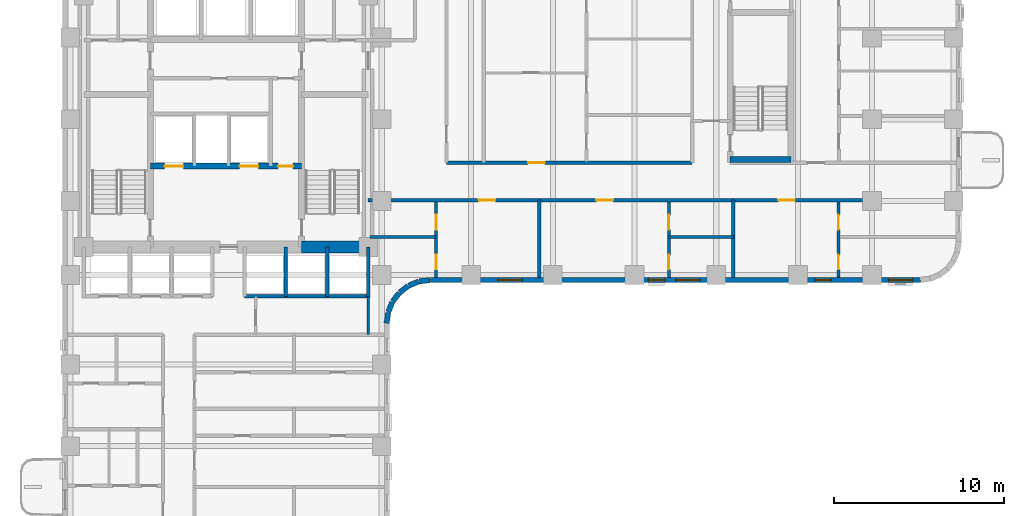
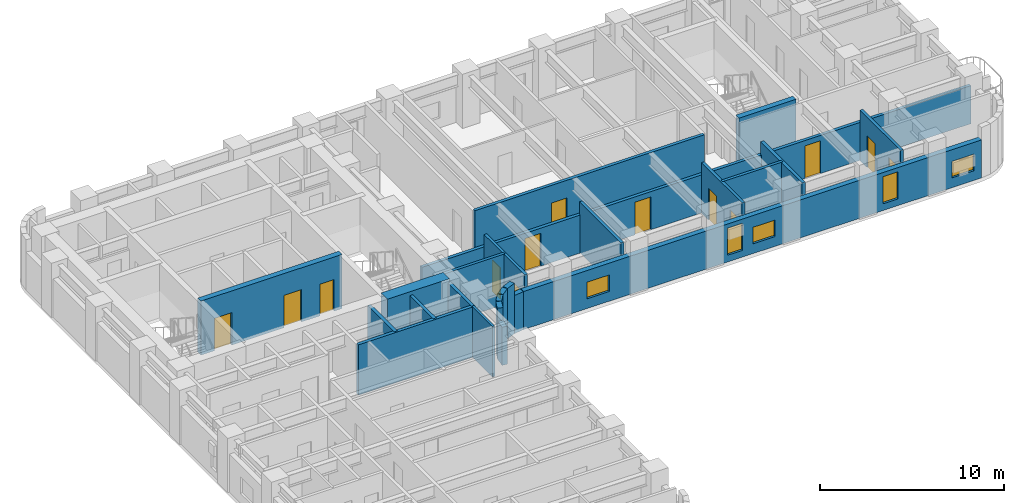
# One storey, part 5 of 12: 24 walls, 13 doors, 5 windows, 18 openings.
"""IFC4 building model written with IfcOpenShell, lengths in metres."""

from ifc_helpers import new_model, si_unit, direction, frame, frame_2d, origin, place, context, subcontext, project, spatial, rectangle, extrude, material, layer, layer_set, type_object, element, fill, save


model = new_model("IFC4")

# Units and contexts
model_context = context("Model", 3, precision=1e-05, world=origin(), true_north=direction((0.0, 1.0)))
body_context = subcontext(model_context, "Body", "Model", "MODEL_VIEW")
ifc_project = project(units=[si_unit("LENGTHUNIT", "METRE"), si_unit("AREAUNIT", "SQUARE_METRE"), si_unit("VOLUMEUNIT", "CUBIC_METRE"), si_unit("PLANEANGLEUNIT", "RADIAN"), si_unit("MASSUNIT", "GRAM", prefix="KILO")], contexts=[model_context])

# Site, building, storey
site_placement = place(None, origin())
site = spatial("IfcSite", under=ifc_project, at=site_placement, CompositionType="ELEMENT")
building_placement = place(site_placement, origin())
building = spatial("IfcBuilding", under=site, at=building_placement, Name="Orvandelia Arch Residences", CompositionType="ELEMENT")
storey_placement = place(building_placement, frame((0.0, 0.0, 43.0)))
storey = spatial("IfcBuildingStorey", under=building, at=storey_placement, Name="L10", CompositionType="ELEMENT", Elevation=43.0)

# Wall, openings, doors
ifc_material_1 = material(Name="Concrete C50/60", Category="concrete")
ifc_layer_1 = layer(ifc_material_1, 0.35009765625, Name="Concrete C50/60", Category="concrete")
ifc_layer_set_1 = layer_set([ifc_layer_1], Name="Concrete C50/60")
wall_type_1 = type_object("IfcWallType", Name="WL-CORE-350", PredefinedType="SHEAR", material=ifc_layer_set_1)
wall_1_placement = place(storey_placement, frame((9.9599609375, 35.64990234375, 0.0), z_axis=(0.0, 0.0, 1.0), x_axis=(1.0, 0.0, 0.0)))
wall_1 = element("IfcWall", 1, at=wall_1_placement, inside=storey, type_object=wall_type_1, Name="Core Shear Wall L10-HZ3", PredefinedType="SHEAR", context=body_context, shape_type="SweptSolid", body=[
    extrude(rectangle(XDim=8.880126953125, YDim=0.35009765625, at=frame_2d((4.43994140625, 0.0))), origin(), (0.0, 0.0, 1.0), 3.60009765625),
])
opening_1_placement = place(wall_1_placement, frame((0.840087890625, 0.0, 0.0)))
opening_1 = element("IfcOpeningElement", 2, at=opening_1_placement, cuts=wall_1, Name="Opening FLD", PredefinedType="OPENING", context=body_context, shape_type="SweptSolid", body=[
    extrude(rectangle(XDim=1.10009765625, YDim=2.14990234375, at=frame_2d((0.550048828125, 1.074951171875))), frame((0.0, 0.18505859375, 0.0), z_axis=(0.0, -1.0, 0.0), x_axis=(1.0, 0.0, 0.0)), (0.0, 0.0, 1.0), 0.3701171875),
])
opening_2_placement = place(wall_1_placement, frame((5.239990234375, 0.0, 0.0)))
opening_2 = element("IfcOpeningElement", 3, at=opening_2_placement, cuts=wall_1, Name="Opening FLD", PredefinedType="OPENING", context=body_context, shape_type="SweptSolid", body=[
    extrude(rectangle(XDim=1.10009765625, YDim=2.14990234375, at=frame_2d((0.550048828125, 1.074951171875))), frame((0.0, 0.18505859375, 0.0), z_axis=(0.0, -1.0, 0.0), x_axis=(1.0, 0.0, 0.0)), (0.0, 0.0, 1.0), 0.3701171875),
])
opening_3_placement = place(wall_1_placement, frame((7.5, 0.0, 0.0)))
opening_3 = element("IfcOpeningElement", 4, at=opening_3_placement, cuts=wall_1, Name="Opening D5", PredefinedType="OPENING", context=body_context, shape_type="SweptSolid", body=[
    extrude(rectangle(XDim=0.8798828125, YDim=2.10009765625, at=frame_2d((0.43994140625, 1.050048828125))), frame((0.0, 0.18505859375, 0.0), z_axis=(0.0, -1.0, 0.0), x_axis=(1.0, 0.0, 0.0)), (0.0, 0.0, 1.0), 0.3701171875),
])
ifc_material_2 = material(Name="Firefighting Lift Stainless Sliding Door")
door_type_1 = type_object("IfcDoorType", Name="DR-FLFT-1100", OperationType="NOTDEFINED", PredefinedType="DOOR", material=ifc_material_2)
door_1_placement = place(opening_1_placement, origin())
door_1 = element("IfcDoor", 5, at=door_1_placement, inside=storey, type_object=door_type_1, Name="Firefighting Lift Landing Door FLD-FL1-L10", OperationType="SLIDING_TO_LEFT", OverallHeight=2.14990234375, OverallWidth=1.10009765625, PredefinedType="DOOR", context=body_context, shape_type="SweptSolid", body=[
    extrude(rectangle(XDim=1.10009765625, YDim=2.14990234375, at=frame_2d((0.550048828125, 1.074951171875))), frame((0.0, 0.02490234375, 0.0), z_axis=(0.0, -1.0, 0.0), x_axis=(1.0, 0.0, 0.0)), (0.0, 0.0, 1.0), 0.050048828125),
])
fill(opening_1, door_1)
door_2_placement = place(opening_2_placement, origin())
door_2 = element("IfcDoor", 6, at=door_2_placement, inside=storey, type_object=door_type_1, Name="Firefighting Lift Landing Door FLD-FL2-L10", OperationType="SLIDING_TO_RIGHT", OverallHeight=2.14990234375, OverallWidth=1.10009765625, PredefinedType="DOOR", context=body_context, shape_type="SweptSolid", body=[
    extrude(rectangle(XDim=1.10009765625, YDim=2.14990234375, at=frame_2d((0.550048828125, 1.074951171875))), frame((0.0, 0.02490234375, 0.0), z_axis=(0.0, -1.0, 0.0), x_axis=(1.0, 0.0, 0.0)), (0.0, 0.0, 1.0), 0.050048828125),
])
fill(opening_2, door_2)
ifc_material_3 = material(Name="Painted Galvanised Steel Service Door", Category="steel")
door_type_2 = type_object("IfcDoorType", Name="DR-SRV-880", OperationType="NOTDEFINED", PredefinedType="DOOR", material=ifc_material_3)
door_3_placement = place(opening_3_placement, origin())
door_3 = element("IfcDoor", 7, at=door_3_placement, inside=storey, type_object=door_type_2, Name="Core Stairway Passage South Fire Door L10", OperationType="SINGLE_SWING_LEFT", OverallHeight=2.10009765625, OverallWidth=0.8798828125, PredefinedType="DOOR", context=body_context, shape_type="SweptSolid", body=[
    extrude(rectangle(XDim=0.8798828125, YDim=2.10009765625, at=frame_2d((0.43994140625, 1.050048828125))), frame((0.0, 0.02490234375, 0.0), z_axis=(0.0, -1.0, 0.0), x_axis=(1.0, 0.0, 0.0)), (0.0, 0.0, 1.0), 0.050048828125),
])
fill(opening_3, door_3)

# Walls
wall_2_placement = place(storey_placement, frame((44.02001953125, 36.0400390625, 0.0), z_axis=(0.0, 0.0, 1.0), x_axis=(1.0, 0.0, 0.0)))
element("IfcWall", 8, at=wall_2_placement, inside=storey, type_object=wall_type_1, Name="East Stair Core Shear Wall L10-S", PredefinedType="SHEAR", context=body_context, shape_type="SweptSolid", body=[
    extrude(rectangle(XDim=3.580078125, YDim=0.35009765625, at=frame_2d((1.7900390625, 0.0))), origin(), (0.0, 0.0, 1.0), 3.60009765625),
])
ifc_material_4 = material(Name="Concrete C80/95", Category="concrete")
ifc_layer_2 = layer(ifc_material_4, 0.699951171875, Name="Concrete C80/95", Category="concrete")
ifc_layer_set_2 = layer_set([ifc_layer_2], Name="Concrete C80/95")
wall_type_2 = type_object("IfcWallType", Name="WL-CORE-700", PredefinedType="SHEAR", material=ifc_layer_set_2)
wall_3_placement = place(storey_placement, frame((18.840087890625, 30.89990234375, 0.0), z_axis=(0.0, 0.0, 1.0), x_axis=(1.0, 0.0, 0.0)))
element("IfcWall", 9, at=wall_3_placement, inside=storey, type_object=wall_type_2, Name="Core Shear Wall L10-SE", PredefinedType="SHEAR", context=body_context, shape_type="SweptSolid", body=[
    extrude(rectangle(XDim=3.909912109375, YDim=0.699951171875, at=frame_2d((1.955078125, 0.0))), origin(), (0.0, 0.0, 1.0), 3.60009765625),
])

# Wall, openings, doors
ifc_material_5 = material(Name="Fire-Rated Corridor Partition")
ifc_layer_3 = layer(ifc_material_5, 0.199951171875, Name="Fire-Rated Corridor Partition")
ifc_layer_set_3 = layer_set([ifc_layer_3], Name="Fire-Rated Corridor Partition")
wall_type_3 = type_object("IfcWallType", Name="WL-CORR-200", PredefinedType="PARTITIONING", material=ifc_layer_set_3)
wall_4_placement = place(storey_placement, frame((22.75, 33.64990234375, 0.0), z_axis=(0.0, 0.0, 1.0), x_axis=(1.0, 0.0, 0.0)))
wall_4 = element("IfcWall", 10, at=wall_4_placement, inside=storey, type_object=wall_type_3, Name="Interior Partition Wall WL-L10-ES-S", PredefinedType="PARTITIONING", context=body_context, shape_type="SweptSolid", body=[
    extrude(rectangle(XDim=34.530029296875, YDim=0.199951171875, at=frame_2d((17.26513671875, 0.0))), origin(), (0.0, 0.0, 1.0), 2.530029296875),
])
opening_4_placement = place(wall_4_placement, frame((6.490966796875, 0.0, 0.0)))
opening_4 = element("IfcOpeningElement", 11, at=opening_4_placement, cuts=wall_4, Name="Opening D1", PredefinedType="OPENING", context=body_context, shape_type="SweptSolid", body=[
    extrude(rectangle(XDim=0.97998046875, YDim=2.179931640625, at=frame_2d((0.489990234375, 1.08984375))), frame((0.0, 0.10986328125, 0.0), z_axis=(0.0, -1.0, 0.0), x_axis=(1.0, 0.0, 0.0)), (0.0, 0.0, 1.0), 0.219970703125),
])
opening_5_placement = place(wall_4_placement, frame((13.406005859375, 0.0, 0.0)))
opening_5 = element("IfcOpeningElement", 12, at=opening_5_placement, cuts=wall_4, Name="Opening D1", PredefinedType="OPENING", context=body_context, shape_type="SweptSolid", body=[
    extrude(rectangle(XDim=0.97998046875, YDim=2.179931640625, at=frame_2d((0.489990234375, 1.08984375))), frame((0.0, 0.10986328125, 0.0), z_axis=(0.0, -1.0, 0.0), x_axis=(1.0, 0.0, 0.0)), (0.0, 0.0, 1.0), 0.219970703125),
])
opening_6_placement = place(wall_4_placement, frame((24.090087890625, 0.0, 0.0)))
opening_6 = element("IfcOpeningElement", 13, at=opening_6_placement, cuts=wall_4, Name="Opening D1", PredefinedType="OPENING", context=body_context, shape_type="SweptSolid", body=[
    extrude(rectangle(XDim=0.97998046875, YDim=2.179931640625, at=frame_2d((0.489990234375, 1.08984375))), frame((0.0, 0.10986328125, 0.0), z_axis=(0.0, -1.0, 0.0), x_axis=(1.0, 0.0, 0.0)), (0.0, 0.0, 1.0), 0.219970703125),
])
ifc_material_6 = material(Name="Solid-Core Timber Acoustic Fire Door", Category="wood")
door_type_3 = type_object("IfcDoorType", Name="DR-ENT-980", OperationType="NOTDEFINED", PredefinedType="DOOR", material=ifc_material_6)
door_4_placement = place(opening_4_placement, origin())
door_4 = element("IfcDoor", 14, at=door_4_placement, inside=storey, type_object=door_type_3, Name="Unit L10-08 Entrance Door", OperationType="SINGLE_SWING_RIGHT", OverallHeight=2.179931640625, OverallWidth=0.97998046875, PredefinedType="DOOR", context=body_context, shape_type="SweptSolid", body=[
    extrude(rectangle(XDim=0.97998046875, YDim=2.179931640625, at=frame_2d((0.489990234375, 1.08984375))), frame((0.0, 0.02490234375, 0.0), z_axis=(0.0, -1.0, 0.0), x_axis=(1.0, 0.0, 0.0)), (0.0, 0.0, 1.0), 0.050048828125),
])
fill(opening_4, door_4)
door_5_placement = place(opening_5_placement, origin())
door_5 = element("IfcDoor", 15, at=door_5_placement, inside=storey, type_object=door_type_3, Name="Unit L10-09 Entrance Door", OperationType="SINGLE_SWING_LEFT", OverallHeight=2.179931640625, OverallWidth=0.97998046875, PredefinedType="DOOR", context=body_context, shape_type="SweptSolid", body=[
    extrude(rectangle(XDim=0.97998046875, YDim=2.179931640625, at=frame_2d((0.489990234375, 1.08984375))), frame((0.0, 0.02490234375, 0.0), z_axis=(0.0, -1.0, 0.0), x_axis=(1.0, 0.0, 0.0)), (0.0, 0.0, 1.0), 0.050048828125),
])
fill(opening_5, door_5)
door_6_placement = place(opening_6_placement, origin())
door_6 = element("IfcDoor", 16, at=door_6_placement, inside=storey, type_object=door_type_3, Name="Unit L10-10 Entrance Door", OperationType="SINGLE_SWING_RIGHT", OverallHeight=2.179931640625, OverallWidth=0.97998046875, PredefinedType="DOOR", context=body_context, shape_type="SweptSolid", body=[
    extrude(rectangle(XDim=0.97998046875, YDim=2.179931640625, at=frame_2d((0.489990234375, 1.08984375))), frame((0.0, 0.02490234375, 0.0), z_axis=(0.0, -1.0, 0.0), x_axis=(1.0, 0.0, 0.0)), (0.0, 0.0, 1.0), 0.050048828125),
])
fill(opening_6, door_6)

# Wall, opening, door
wall_5_placement = place(storey_placement, frame((27.35009765625, 35.85009765625, 0.0), z_axis=(0.0, 0.0, 1.0), x_axis=(1.0, 0.0, 0.0)))
wall_5 = element("IfcWall", 17, at=wall_5_placement, inside=storey, type_object=wall_type_3, Name="Interior Partition Wall WL-L10-ES-N1", PredefinedType="PARTITIONING", context=body_context, shape_type="SweptSolid", body=[
    extrude(rectangle(XDim=14.429931640625, YDim=0.199951171875, at=frame_2d((7.21484375, 0.0))), origin(), (0.0, 0.0, 1.0), 3.35009765625),
])
opening_7_placement = place(wall_5_placement, frame((4.803466796875, 0.0, 0.0)))
opening_7 = element("IfcOpeningElement", 18, at=opening_7_placement, cuts=wall_5, Name="Opening D1", PredefinedType="OPENING", context=body_context, shape_type="SweptSolid", body=[
    extrude(rectangle(XDim=0.97998046875, YDim=2.179931640625, at=frame_2d((0.489990234375, 1.08984375))), frame((0.0, 0.10986328125, 0.0), z_axis=(0.0, -1.0, 0.0), x_axis=(1.0, 0.0, 0.0)), (0.0, 0.0, 1.0), 0.219970703125),
])
door_7_placement = place(opening_7_placement, origin())
door_7 = element("IfcDoor", 19, at=door_7_placement, inside=storey, type_object=door_type_3, Name="Unit L10-11 Entrance Door", OperationType="SINGLE_SWING_LEFT", OverallHeight=2.179931640625, OverallWidth=0.97998046875, PredefinedType="DOOR", context=body_context, shape_type="SweptSolid", body=[
    extrude(rectangle(XDim=0.97998046875, YDim=2.179931640625, at=frame_2d((0.489990234375, 1.08984375))), frame((0.0, 0.02490234375, 0.0), z_axis=(0.0, -1.0, 0.0), x_axis=(1.0, 0.0, 0.0)), (0.0, 0.0, 1.0), 0.050048828125),
])
fill(opening_7, door_7)

# Walls
ifc_material_7 = material(Name="Concrete C40/50", Category="concrete")
ifc_layer_4 = layer(ifc_material_7, 0.199951171875, Name="Concrete C40/50", Category="concrete")
ifc_layer_set_4 = layer_set([ifc_layer_4], Name="Concrete C40/50")
wall_type_4 = type_object("IfcWallType", Name="WL-DEM-200", PredefinedType="SOLIDWALL", material=ifc_layer_set_4)
for number, where, z_axis, x_axis, name in (
    (20, (32.800048828125, 29.1201171875, 0.0), (0.0, 0.0, 1.0), (0.0, 1.0, 0.0), "Interior Partition Wall WL-L10-DEM-ESS-328"),
    (21, (44.199951171875, 29.1201171875, 0.0), (0.0, 0.0, 1.0), (0.0, 1.0, 0.0), "Interior Partition Wall WL-L10-DEM-ESS-442"),
):
    element("IfcWall", number, at=place(storey_placement, frame(where, z_axis=z_axis, x_axis=x_axis)), inside=storey, type_object=wall_type_4, Name=name, PredefinedType="SOLIDWALL", context=body_context, shape_type="SweptSolid", body=[
        extrude(rectangle(XDim=4.52978515625, YDim=0.199951171875, at=frame_2d((2.264892578125, 0.0))), origin(), (0.0, 0.0, 1.0), 3.35009765625),
    ])

# Wall, openings, windows
ifc_material_8 = material(Name="Precast concrete C40/50", Category="concrete")
ifc_layer_5 = layer(ifc_material_8, 0.320068359375, Name="Precast concrete C40/50", Category="concrete")
ifc_layer_set_5 = layer_set([ifc_layer_5], Name="Precast concrete C40/50")
wall_type_5 = type_object("IfcWallType", Name="WL-EXT-STONE-320", PredefinedType="STANDARD", material=ifc_layer_set_5)
wall_6_placement = place(storey_placement, frame((55.199951171875, 28.9599609375, 0.0), z_axis=(0.0, 0.0, 1.0), x_axis=(-1.0, 0.0, 0.0)))
wall_6 = element("IfcWall", 22, at=wall_6_placement, inside=storey, type_object=wall_type_5, Name="Coral-Limestone Precast Facade Wall L10-021", PredefinedType="STANDARD", context=body_context, shape_type="SweptSolid", body=[
    extrude(rectangle(XDim=28.800048828125, YDim=0.320068359375, at=frame_2d((14.39990234375, 0.0))), origin(), (0.0, 0.0, 1.0), 2.530029296875),
])
opening_8_placement = place(wall_6_placement, frame((23.4150390625, 0.0, 0.64990234375)))
opening_8 = element("IfcOpeningElement", 23, at=opening_8_placement, cuts=wall_6, Name="Opening W10", PredefinedType="OPENING", context=body_context, shape_type="SweptSolid", body=[
    extrude(rectangle(XDim=1.39990234375, YDim=1.10009765625, at=frame_2d((0.699951171875, 0.550048828125))), frame((0.0, 0.169921875, 0.0), z_axis=(0.0, -1.0, 0.0), x_axis=(1.0, 0.0, 0.0)), (0.0, 0.0, 1.0), 0.340087890625),
])
opening_9_placement = place(wall_6_placement, frame((15.033935546875, 0.0, 0.449951171875)))
opening_9 = element("IfcOpeningElement", 24, at=opening_9_placement, cuts=wall_6, Name="Opening W4", PredefinedType="OPENING", context=body_context, shape_type="SweptSolid", body=[
    extrude(rectangle(XDim=0.949951171875, YDim=1.800048828125, at=frame_2d((0.47509765625, 0.89990234375))), frame((0.0, 0.169921875, 0.0), z_axis=(0.0, -1.0, 0.0), x_axis=(1.0, 0.0, 0.0)), (0.0, 0.0, 1.0), 0.340087890625),
])
opening_10_placement = place(wall_6_placement, frame((5.25, 0.0, 0.449951171875)))
opening_10 = element("IfcOpeningElement", 25, at=opening_10_placement, cuts=wall_6, Name="Opening W4", PredefinedType="OPENING", context=body_context, shape_type="SweptSolid", body=[
    extrude(rectangle(XDim=0.949951171875, YDim=1.800048828125, at=frame_2d((0.47509765625, 0.89990234375))), frame((0.0, 0.169921875, 0.0), z_axis=(0.0, -1.0, 0.0), x_axis=(1.0, 0.0, 0.0)), (0.0, 0.0, 1.0), 0.340087890625),
])
opening_11_placement = place(wall_6_placement, frame((12.97900390625, 0.0, 0.64990234375)))
opening_11 = element("IfcOpeningElement", 26, at=opening_11_placement, cuts=wall_6, Name="Opening W10", PredefinedType="OPENING", context=body_context, shape_type="SweptSolid", body=[
    extrude(rectangle(XDim=1.39990234375, YDim=1.10009765625, at=frame_2d((0.699951171875, 0.550048828125))), frame((0.0, 0.169921875, 0.0), z_axis=(0.0, -1.0, 0.0), x_axis=(1.0, 0.0, 0.0)), (0.0, 0.0, 1.0), 0.340087890625),
])
opening_12_placement = place(wall_6_placement, frame((0.469970703125, 0.0, 0.64990234375)))
opening_12 = element("IfcOpeningElement", 27, at=opening_12_placement, cuts=wall_6, Name="Opening W10", PredefinedType="OPENING", context=body_context, shape_type="SweptSolid", body=[
    extrude(rectangle(XDim=1.39990234375, YDim=1.10009765625, at=frame_2d((0.699951171875, 0.550048828125))), frame((0.0, 0.169921875, 0.0), z_axis=(0.0, -1.0, 0.0), x_axis=(1.0, 0.0, 0.0)), (0.0, 0.0, 1.0), 0.340087890625),
])
ifc_material_9 = material(Name="Tempered Low-E Insulated Glazing", Category="glass")
window_type_1 = type_object("IfcWindowType", Name="WIN-CLR-1400x1100", PartitioningType="SINGLE_PANEL", PredefinedType="WINDOW", material=ifc_material_9)
window_1_placement = place(opening_8_placement, origin())
window_1 = element("IfcWindow", 28, at=window_1_placement, inside=storey, type_object=window_type_1, Name="Recessed Punched Window L10-014", OverallHeight=1.10009765625, OverallWidth=1.39990234375, PartitioningType="SINGLE_PANEL", PredefinedType="WINDOW", context=body_context, shape_type="SweptSolid", body=[
    extrude(rectangle(XDim=1.39990234375, YDim=1.10009765625, at=frame_2d((0.699951171875, 0.550048828125))), frame((0.0, 0.030029296875, 0.0), z_axis=(0.0, -1.0, 0.0), x_axis=(1.0, 0.0, 0.0)), (0.0, 0.0, 1.0), 0.06005859375),
])
fill(opening_8, window_1)
window_2_placement = place(opening_11_placement, origin())
window_2 = element("IfcWindow", 29, at=window_2_placement, inside=storey, type_object=window_type_1, Name="Recessed Punched Window L10-017", OverallHeight=1.10009765625, OverallWidth=1.39990234375, PartitioningType="SINGLE_PANEL", PredefinedType="WINDOW", context=body_context, shape_type="SweptSolid", body=[
    extrude(rectangle(XDim=1.39990234375, YDim=1.10009765625, at=frame_2d((0.699951171875, 0.550048828125))), frame((0.0, 0.030029296875, 0.0), z_axis=(0.0, -1.0, 0.0), x_axis=(1.0, 0.0, 0.0)), (0.0, 0.0, 1.0), 0.06005859375),
])
fill(opening_11, window_2)
window_3_placement = place(opening_12_placement, origin())
window_3 = element("IfcWindow", 30, at=window_3_placement, inside=storey, type_object=window_type_1, Name="Recessed Punched Window L10-018", OverallHeight=1.10009765625, OverallWidth=1.39990234375, PartitioningType="SINGLE_PANEL", PredefinedType="WINDOW", context=body_context, shape_type="SweptSolid", body=[
    extrude(rectangle(XDim=1.39990234375, YDim=1.10009765625, at=frame_2d((0.699951171875, 0.550048828125))), frame((0.0, 0.030029296875, 0.0), z_axis=(0.0, -1.0, 0.0), x_axis=(1.0, 0.0, 0.0)), (0.0, 0.0, 1.0), 0.06005859375),
])
fill(opening_12, window_3)
window_type_2 = type_object("IfcWindowType", Name="WIN-RES-0950x1800", PartitioningType="SINGLE_PANEL", PredefinedType="WINDOW", material=ifc_material_9)
window_4_placement = place(opening_9_placement, origin())
window_4 = element("IfcWindow", 31, at=window_4_placement, inside=storey, type_object=window_type_2, Name="Recessed Punched Window L10-015", OverallHeight=1.800048828125, OverallWidth=0.949951171875, PartitioningType="SINGLE_PANEL", PredefinedType="WINDOW", context=body_context, shape_type="SweptSolid", body=[
    extrude(rectangle(XDim=0.949951171875, YDim=1.800048828125, at=frame_2d((0.47509765625, 0.89990234375))), frame((0.0, 0.030029296875, 0.0), z_axis=(0.0, -1.0, 0.0), x_axis=(1.0, 0.0, 0.0)), (0.0, 0.0, 1.0), 0.06005859375),
])
fill(opening_9, window_4)
window_5_placement = place(opening_10_placement, origin())
window_5 = element("IfcWindow", 32, at=window_5_placement, inside=storey, type_object=window_type_2, Name="Recessed Punched Window L10-016", OverallHeight=1.800048828125, OverallWidth=0.949951171875, PartitioningType="SINGLE_PANEL", PredefinedType="WINDOW", context=body_context, shape_type="SweptSolid", body=[
    extrude(rectangle(XDim=0.949951171875, YDim=1.800048828125, at=frame_2d((0.47509765625, 0.89990234375))), frame((0.0, 0.030029296875, 0.0), z_axis=(0.0, -1.0, 0.0), x_axis=(1.0, 0.0, 0.0)), (0.0, 0.0, 1.0), 0.06005859375),
])
fill(opening_10, window_5)

# Walls
wall_7_placement = place(storey_placement, frame((26.379150390625, 28.95849609375, 0.0), z_axis=(0.0, 0.0, 1.0), x_axis=(-0.991447664465, -0.130504898859, 0.0)))
element("IfcWall", 33, at=wall_7_placement, inside=storey, type_object=wall_type_5, Name="Coral-Limestone Precast Facade Wall L10-022", PredefinedType="STANDARD", context=body_context, shape_type="SweptSolid", body=[
    extrude(rectangle(XDim=0.626708984375, YDim=0.320068359375, at=frame_2d((0.3134765625, 0.0))), origin(), (0.0, 0.0, 1.0), 2.530029296875),
])
wall_8_placement = place(storey_placement, frame((25.717529296875, 28.865966796875, 0.0), z_axis=(0.0, 0.0, 1.0), x_axis=(-0.923836271867, -0.382787856107, 0.0)))
element("IfcWall", 34, at=wall_8_placement, inside=storey, type_object=wall_type_5, Name="Coral-Limestone Precast Facade Wall L10-023", PredefinedType="STANDARD", context=body_context, shape_type="SweptSolid", body=[
    extrude(rectangle(XDim=0.626220703125, YDim=0.320068359375, at=frame_2d((0.31298828125, 0.0))), origin(), (0.0, 0.0, 1.0), 3.35009765625),
])
for number, where, z_axis, x_axis, name in (
    (35, (25.1025390625, 28.60546875, 0.0), (0.0, 0.0, 1.0), (-0.793405610854, -0.608693302629, 0.0), "Coral-Limestone Precast Facade Wall L10-024"),
    (36, (24.575927734375, 28.194580078125, 0.0), (0.0, 0.0, 1.0), (-0.608693302629, -0.793405610854, 0.0), "Coral-Limestone Precast Facade Wall L10-025"),
):
    element("IfcWall", number, at=place(storey_placement, frame(where, z_axis=z_axis, x_axis=x_axis)), inside=storey, type_object=wall_type_5, Name=name, PredefinedType="STANDARD", context=body_context, shape_type="SweptSolid", body=[
        extrude(rectangle(XDim=0.62646484375, YDim=0.320068359375, at=frame_2d((0.313232421875, 0.0))), origin(), (0.0, 0.0, 1.0), 3.35009765625),
    ])
wall_9_placement = place(storey_placement, frame((24.173583984375, 27.6611328125, 0.0), z_axis=(0.0, 0.0, 1.0), x_axis=(-0.382455093999, -0.923974080304, 0.0)))
element("IfcWall", 37, at=wall_9_placement, inside=storey, type_object=wall_type_5, Name="Coral-Limestone Precast Facade Wall L10-026", PredefinedType="STANDARD", context=body_context, shape_type="SweptSolid", body=[
    extrude(rectangle(XDim=0.626220703125, YDim=0.320068359375, at=frame_2d((0.31298828125, 0.0))), origin(), (0.0, 0.0, 1.0), 3.35009765625),
])
wall_10_placement = place(storey_placement, frame((23.923095703125, 27.0419921875, 0.0), z_axis=(0.0, 0.0, 1.0), x_axis=(-0.130555323746, -0.9914410257, 0.0)))
element("IfcWall", 38, at=wall_10_placement, inside=storey, type_object=wall_type_5, Name="Coral-Limestone Precast Facade Wall L10-027", PredefinedType="STANDARD", context=body_context, shape_type="SweptSolid", body=[
    extrude(rectangle(XDim=0.62646484375, YDim=0.320068359375, at=frame_2d((0.313232421875, 0.0))), origin(), (0.0, 0.0, 1.0), 2.530029296875),
])
ifc_material_10 = material(Name="Acoustic Gypsum Stud Partition")
ifc_layer_6 = layer(ifc_material_10, 0.14990234375, Name="Acoustic Gypsum Stud Partition")
ifc_layer_set_6 = layer_set([ifc_layer_6], Name="Acoustic Gypsum Stud Partition")
wall_type_6 = type_object("IfcWallType", Name="WL-PART-150", PredefinedType="PARTITIONING", material=ifc_layer_set_6)
wall_11_placement = place(storey_placement, frame((22.75, 25.75, 0.0), z_axis=(0.0, 0.0, 1.0), x_axis=(0.0, 1.0, 0.0)))
element("IfcWall", 39, at=wall_11_placement, inside=storey, type_object=wall_type_6, Name="Interior Partition Wall WL-L10-HLS-EE", PredefinedType="PARTITIONING", context=body_context, shape_type="SweptSolid", body=[
    extrude(rectangle(XDim=2.25, YDim=0.14990234375, at=frame_2d((1.125, 0.0))), origin(), (0.0, 0.0, 1.0), 3.35009765625),
])
ifc_material_11 = material(Name="Fire-Rated Shaft Enclosure Wall")
ifc_layer_7 = layer(ifc_material_11, 0.199951171875, Name="Fire-Rated Shaft Enclosure Wall")
ifc_layer_set_7 = layer_set([ifc_layer_7], Name="Fire-Rated Shaft Enclosure Wall")
wall_type_7 = type_object("IfcWallType", Name="WL-SHAFT-200", PredefinedType="POLYGONAL", material=ifc_layer_set_7)
wall_12_placement = place(storey_placement, frame((15.5, 28.0, 0.0), z_axis=(0.0, 0.0, 1.0), x_axis=(1.0, 0.0, 0.0)))
element("IfcWall", 40, at=wall_12_placement, inside=storey, type_object=wall_type_7, Name="Interior Partition Wall WL-L10-BNKM-S", PredefinedType="POLYGONAL", context=body_context, shape_type="SweptSolid", body=[
    extrude(rectangle(XDim=7.25, YDim=0.199951171875, at=frame_2d((3.625, 0.0))), origin(), (0.0, 0.0, 1.0), 3.35009765625),
])
wall_13_placement = place(storey_placement, frame((22.75, 27.89990234375, 0.0), z_axis=(0.0, 0.0, 1.0), x_axis=(0.0, 1.0, 0.0)))
element("IfcWall", 41, at=wall_13_placement, inside=storey, type_object=wall_type_7, Name="Interior Partition Wall WL-L10-BNKM-E", PredefinedType="POLYGONAL", context=body_context, shape_type="SweptSolid", body=[
    extrude(rectangle(XDim=3.0, YDim=0.199951171875, at=frame_2d((1.5, 0.0))), origin(), (0.0, 0.0, 1.0), 3.35009765625),
])
for number, where, z_axis, x_axis, name in (
    (42, (17.89990234375, 28.0, 0.0), (0.0, 0.0, 1.0), (0.0, 1.0, 0.0), "Interior Partition Wall WL-L10-BNKD-1789"),
    (43, (20.35009765625, 28.0, 0.0), (0.0, 0.0, 1.0), (0.0, 1.0, 0.0), "Interior Partition Wall WL-L10-BNKD-2035"),
):
    element("IfcWall", number, at=place(storey_placement, frame(where, z_axis=z_axis, x_axis=x_axis)), inside=storey, type_object=wall_type_7, Name=name, PredefinedType="POLYGONAL", context=body_context, shape_type="SweptSolid", body=[
        extrude(rectangle(XDim=2.89990234375, YDim=0.199951171875, at=frame_2d((1.449951171875, 0.0))), origin(), (0.0, 0.0, 1.0), 3.35009765625),
    ])

# Wall, openings, doors
ifc_material_12 = material(Name="Moisture-Resistant Plumbing Wall")
ifc_layer_8 = layer(ifc_material_12, 0.179931640625, Name="Moisture-Resistant Plumbing Wall")
ifc_layer_set_8 = layer_set([ifc_layer_8], Name="Moisture-Resistant Plumbing Wall")
wall_type_8 = type_object("IfcWallType", Name="WL-WET-180", PredefinedType="PLUMBINGWALL", material=ifc_layer_set_8)
wall_14_placement = place(storey_placement, frame((26.741943359375, 29.1201171875, 0.0), z_axis=(0.0, 0.0, 1.0), x_axis=(0.0, 1.0, 0.0)))
wall_14 = element("IfcWall", 44, at=wall_14_placement, inside=storey, type_object=wall_type_8, Name="Interior Partition Wall WL-L10-U08-VT", PredefinedType="PLUMBINGWALL", context=body_context, shape_type="SweptSolid", body=[
    extrude(rectangle(XDim=4.429931640625, YDim=0.179931640625, at=frame_2d((2.21484375, 0.0))), origin(), (0.0, 0.0, 1.0), 3.35009765625),
])
opening_13_placement = place(wall_14_placement, frame((0.458740234375, 0.0, 0.0)))
opening_13 = element("IfcOpeningElement", 45, at=opening_13_placement, cuts=wall_14, Name="Opening D4", PredefinedType="OPENING", context=body_context, shape_type="SweptSolid", body=[
    extrude(rectangle(XDim=0.860107421875, YDim=2.10009765625, at=frame_2d((0.43017578125, 1.050048828125))), frame((0.0, 0.10009765625, 0.0), z_axis=(0.0, -1.0, 0.0), x_axis=(1.0, 0.0, 0.0)), (0.0, 0.0, 1.0), 0.199951171875),
])
opening_14_placement = place(wall_14_placement, frame((2.79931640625, 0.0, 0.0)))
opening_14 = element("IfcOpeningElement", 46, at=opening_14_placement, cuts=wall_14, Name="Opening D4", PredefinedType="OPENING", context=body_context, shape_type="SweptSolid", body=[
    extrude(rectangle(XDim=0.860107421875, YDim=2.10009765625, at=frame_2d((0.43017578125, 1.050048828125))), frame((0.0, 0.10009765625, 0.0), z_axis=(0.0, -1.0, 0.0), x_axis=(1.0, 0.0, 0.0)), (0.0, 0.0, 1.0), 0.199951171875),
])
ifc_material_13 = material(Name="Moisture-Sealed Timber Bathroom Door", Category="wood")
door_type_4 = type_object("IfcDoorType", Name="DR-WET-900", OperationType="NOTDEFINED", PredefinedType="DOOR", material=ifc_material_13)
door_8_placement = place(opening_13_placement, origin())
door_8 = element("IfcDoor", 47, at=door_8_placement, inside=storey, type_object=door_type_4, Name="DR-L10-U08-KIT", OperationType="SINGLE_SWING_RIGHT", OverallHeight=2.10009765625, OverallWidth=0.860107421875, PredefinedType="DOOR", context=body_context, shape_type="SweptSolid", body=[
    extrude(rectangle(XDim=0.860107421875, YDim=2.10009765625, at=frame_2d((0.43017578125, 1.050048828125))), frame((0.0, 0.02490234375, 0.0), z_axis=(0.0, -1.0, 0.0), x_axis=(1.0, 0.0, 0.0)), (0.0, 0.0, 1.0), 0.050048828125),
])
fill(opening_13, door_8)
door_9_placement = place(opening_14_placement, origin())
door_9 = element("IfcDoor", 48, at=door_9_placement, inside=storey, type_object=door_type_4, Name="DR-L10-U08-BTH", OperationType="SINGLE_SWING_LEFT", OverallHeight=2.10009765625, OverallWidth=0.860107421875, PredefinedType="DOOR", context=body_context, shape_type="SweptSolid", body=[
    extrude(rectangle(XDim=0.860107421875, YDim=2.10009765625, at=frame_2d((0.43017578125, 1.050048828125))), frame((0.0, 0.02490234375, 0.0), z_axis=(0.0, -1.0, 0.0), x_axis=(1.0, 0.0, 0.0)), (0.0, 0.0, 1.0), 0.050048828125),
])
fill(opening_14, door_9)

# Wall
wall_15_placement = place(storey_placement, frame((22.85009765625, 31.485107421875, 0.0), z_axis=(0.0, 0.0, 1.0), x_axis=(1.0, 0.0, 0.0)))
element("IfcWall", 49, at=wall_15_placement, inside=storey, type_object=wall_type_8, Name="Interior Partition Wall WL-L10-U08-H1", PredefinedType="PLUMBINGWALL", context=body_context, shape_type="SweptSolid", body=[
    extrude(rectangle(XDim=3.891845703125, YDim=0.179931640625, at=frame_2d((1.94580078125, 0.0))), origin(), (0.0, 0.0, 1.0), 3.35009765625),
])

# Wall, openings, doors
wall_16_placement = place(storey_placement, frame((40.412109375, 29.1201171875, 0.0), z_axis=(0.0, 0.0, 1.0), x_axis=(0.0, 1.0, 0.0)))
wall_16 = element("IfcWall", 50, at=wall_16_placement, inside=storey, type_object=wall_type_8, Name="Interior Partition Wall WL-L10-U09-VT", PredefinedType="PLUMBINGWALL", context=body_context, shape_type="SweptSolid", body=[
    extrude(rectangle(XDim=4.429931640625, YDim=0.179931640625, at=frame_2d((2.21484375, 0.0))), origin(), (0.0, 0.0, 1.0), 3.35009765625),
])
opening_15_placement = place(wall_16_placement, frame((0.458740234375, 0.0, 0.0)))
opening_15 = element("IfcOpeningElement", 51, at=opening_15_placement, cuts=wall_16, Name="Opening D4", PredefinedType="OPENING", context=body_context, shape_type="SweptSolid", body=[
    extrude(rectangle(XDim=0.860107421875, YDim=2.10009765625, at=frame_2d((0.43017578125, 1.050048828125))), frame((0.0, 0.10009765625, 0.0), z_axis=(0.0, -1.0, 0.0), x_axis=(1.0, 0.0, 0.0)), (0.0, 0.0, 1.0), 0.199951171875),
])
opening_16_placement = place(wall_16_placement, frame((2.79931640625, 0.0, 0.0)))
opening_16 = element("IfcOpeningElement", 52, at=opening_16_placement, cuts=wall_16, Name="Opening D4", PredefinedType="OPENING", context=body_context, shape_type="SweptSolid", body=[
    extrude(rectangle(XDim=0.860107421875, YDim=2.10009765625, at=frame_2d((0.43017578125, 1.050048828125))), frame((0.0, 0.10009765625, 0.0), z_axis=(0.0, -1.0, 0.0), x_axis=(1.0, 0.0, 0.0)), (0.0, 0.0, 1.0), 0.199951171875),
])
door_10_placement = place(opening_15_placement, origin())
door_10 = element("IfcDoor", 53, at=door_10_placement, inside=storey, type_object=door_type_4, Name="DR-L10-U09-KIT", OperationType="SINGLE_SWING_LEFT", OverallHeight=2.10009765625, OverallWidth=0.860107421875, PredefinedType="DOOR", context=body_context, shape_type="SweptSolid", body=[
    extrude(rectangle(XDim=0.860107421875, YDim=2.10009765625, at=frame_2d((0.43017578125, 1.050048828125))), frame((0.0, 0.02490234375, 0.0), z_axis=(0.0, -1.0, 0.0), x_axis=(1.0, 0.0, 0.0)), (0.0, 0.0, 1.0), 0.050048828125),
])
fill(opening_15, door_10)
door_11_placement = place(opening_16_placement, origin())
door_11 = element("IfcDoor", 54, at=door_11_placement, inside=storey, type_object=door_type_4, Name="DR-L10-U09-BTH", OperationType="SINGLE_SWING_RIGHT", OverallHeight=2.10009765625, OverallWidth=0.860107421875, PredefinedType="DOOR", context=body_context, shape_type="SweptSolid", body=[
    extrude(rectangle(XDim=0.860107421875, YDim=2.10009765625, at=frame_2d((0.43017578125, 1.050048828125))), frame((0.0, 0.02490234375, 0.0), z_axis=(0.0, -1.0, 0.0), x_axis=(1.0, 0.0, 0.0)), (0.0, 0.0, 1.0), 0.050048828125),
])
fill(opening_16, door_11)

# Wall
wall_17_placement = place(storey_placement, frame((40.412109375, 31.485107421875, 0.0), z_axis=(0.0, 0.0, 1.0), x_axis=(1.0, 0.0, 0.0)))
element("IfcWall", 55, at=wall_17_placement, inside=storey, type_object=wall_type_8, Name="Interior Partition Wall WL-L10-U09-H1", PredefinedType="PLUMBINGWALL", context=body_context, shape_type="SweptSolid", body=[
    extrude(rectangle(XDim=3.787841796875, YDim=0.179931640625, at=frame_2d((1.89404296875, 0.0))), origin(), (0.0, 0.0, 1.0), 3.35009765625),
])

# Wall, openings, doors
wall_18_placement = place(storey_placement, frame((50.3798828125, 29.1201171875, 0.0), z_axis=(0.0, 0.0, 1.0), x_axis=(0.0, 1.0, 0.0)))
wall_18 = element("IfcWall", 56, at=wall_18_placement, inside=storey, type_object=wall_type_8, Name="Interior Partition Wall WL-L10-U10-VT", PredefinedType="PLUMBINGWALL", context=body_context, shape_type="SweptSolid", body=[
    extrude(rectangle(XDim=4.429931640625, YDim=0.179931640625, at=frame_2d((2.21484375, 0.0))), origin(), (0.0, 0.0, 1.0), 3.35009765625),
])
opening_17_placement = place(wall_18_placement, frame((0.458740234375, 0.0, 0.0)))
opening_17 = element("IfcOpeningElement", 57, at=opening_17_placement, cuts=wall_18, Name="Opening D4", PredefinedType="OPENING", context=body_context, shape_type="SweptSolid", body=[
    extrude(rectangle(XDim=0.860107421875, YDim=2.10009765625, at=frame_2d((0.43017578125, 1.050048828125))), frame((0.0, 0.10009765625, 0.0), z_axis=(0.0, -1.0, 0.0), x_axis=(1.0, 0.0, 0.0)), (0.0, 0.0, 1.0), 0.199951171875),
])
opening_18_placement = place(wall_18_placement, frame((2.79931640625, 0.0, 0.0)))
opening_18 = element("IfcOpeningElement", 58, at=opening_18_placement, cuts=wall_18, Name="Opening D4", PredefinedType="OPENING", context=body_context, shape_type="SweptSolid", body=[
    extrude(rectangle(XDim=0.860107421875, YDim=2.10009765625, at=frame_2d((0.43017578125, 1.050048828125))), frame((0.0, 0.10009765625, 0.0), z_axis=(0.0, -1.0, 0.0), x_axis=(1.0, 0.0, 0.0)), (0.0, 0.0, 1.0), 0.199951171875),
])
door_12_placement = place(opening_17_placement, origin())
door_12 = element("IfcDoor", 59, at=door_12_placement, inside=storey, type_object=door_type_4, Name="DR-L10-U10-KIT", OperationType="SINGLE_SWING_RIGHT", OverallHeight=2.10009765625, OverallWidth=0.860107421875, PredefinedType="DOOR", context=body_context, shape_type="SweptSolid", body=[
    extrude(rectangle(XDim=0.860107421875, YDim=2.10009765625, at=frame_2d((0.43017578125, 1.050048828125))), frame((0.0, 0.02490234375, 0.0), z_axis=(0.0, -1.0, 0.0), x_axis=(1.0, 0.0, 0.0)), (0.0, 0.0, 1.0), 0.050048828125),
])
fill(opening_17, door_12)
door_13_placement = place(opening_18_placement, origin())
door_13 = element("IfcDoor", 60, at=door_13_placement, inside=storey, type_object=door_type_4, Name="DR-L10-U10-BTH", OperationType="SINGLE_SWING_LEFT", OverallHeight=2.10009765625, OverallWidth=0.860107421875, PredefinedType="DOOR", context=body_context, shape_type="SweptSolid", body=[
    extrude(rectangle(XDim=0.860107421875, YDim=2.10009765625, at=frame_2d((0.43017578125, 1.050048828125))), frame((0.0, 0.02490234375, 0.0), z_axis=(0.0, -1.0, 0.0), x_axis=(1.0, 0.0, 0.0)), (0.0, 0.0, 1.0), 0.050048828125),
])
fill(opening_18, door_13)

save(model, "model.ifc")
